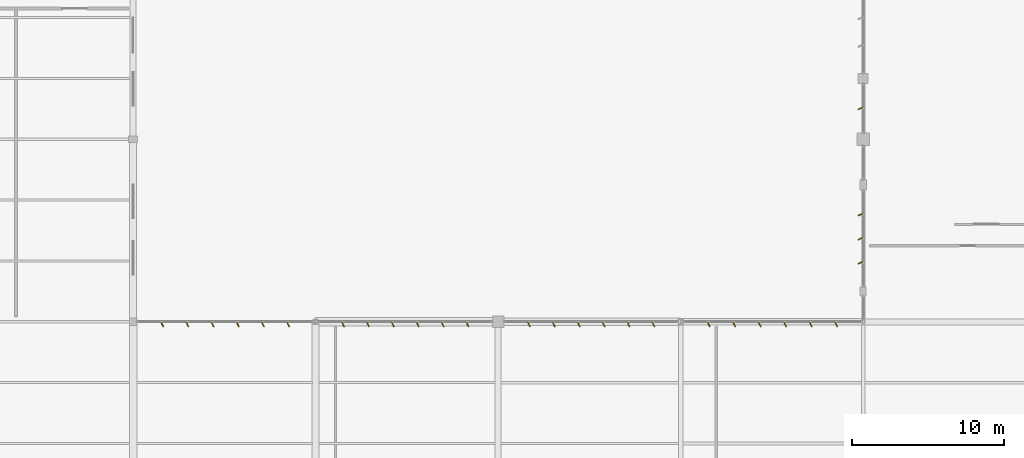
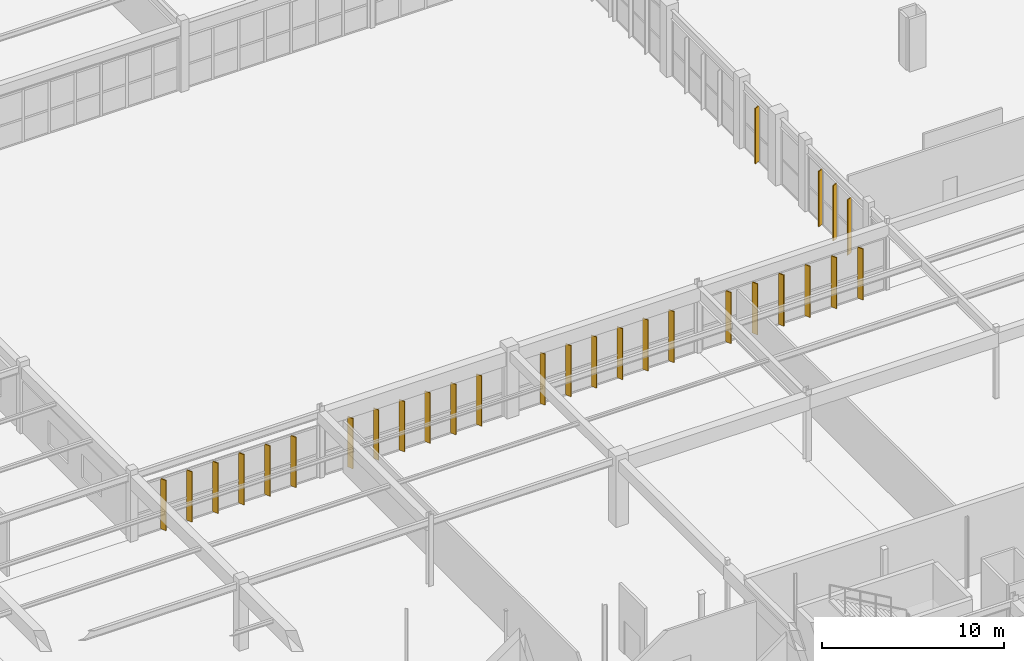
# One storey, part 182 of 199: 28 shading devices.
"""IFC4 building model written with IfcOpenShell, lengths in metres."""

import ifcopenshell
import ifcopenshell.guid

model = None  # the IFC model being written
_history = None  # IfcOwnerHistory: only IFC2X3 demands one
_inside = {}  # id of a spatial element -> (the spatial element, [elements in it])
_under = {}  # id of a project, library or spatial element -> (it, [spatial elements below it])
_declared = {}  # id of a project -> (the project, [libraries it declares])
_typed = {}  # id of a type object -> (the type object, [elements of that type])
_made_of = {}  # id of a material, layer set ... -> (it, [elements and type objects made of it])


def new_model(schema):
    """Start an empty IFC model of exactly this schema.

    Asked for "IFC4X3", IfcOpenShell would pick the latest addendum, in which some entities
    have other attributes; the version numbers below select the first issue.
    IFC2X3 requires an IfcOwnerHistory on every rooted entity: one is made here for all.
    """
    global model, _history
    if schema == "IFC4X3":
        model = ifcopenshell.file(schema_version=(4, 3, 0, 0))
    else:
        model = ifcopenshell.file(schema=schema)
    _inside.clear()
    _under.clear()
    _declared.clear()
    _typed.clear()
    _made_of.clear()
    _history = None
    if model.schema == "IFC2X3":
        org = make("IfcOrganization", Name="unknown")
        user = make(
            "IfcPersonAndOrganization",
            ThePerson=make("IfcPerson", FamilyName="unknown"),
            TheOrganization=org,
        )
        app = make(
            "IfcApplication",
            ApplicationDeveloper=org,
            Version="unknown",
            ApplicationFullName="unknown",
            ApplicationIdentifier="unknown",
        )
        _history = make(
            "IfcOwnerHistory",
            OwningUser=user,
            OwningApplication=app,
            ChangeAction="ADDED",
            CreationDate=0,
        )
    return model


def make(cls, **values):
    """One entity of the class cls with the attributes given. An attribute that is None is left unset."""
    return model.create_entity(
        cls, **{name: value for name, value in values.items() if value is not None}
    )


def rooted(cls, **values):
    """An entity with a GlobalId (a new one), such as an element, a storey or a relation."""
    return make(cls, GlobalId=ifcopenshell.guid.new(), OwnerHistory=_history, **values)


def si_unit(unit_type, name, prefix=None):
    """IfcSIUnit, for example si_unit("LENGTHUNIT", "METRE", prefix="MILLI")."""
    return make("IfcSIUnit", UnitType=unit_type, Prefix=prefix, Name=name)


def assignment(units):
    """IfcUnitAssignment: the units of a project."""
    return None if units is None else make("IfcUnitAssignment", Units=units)


def point(xyz):
    """IfcCartesianPoint."""
    return None if xyz is None else make("IfcCartesianPoint", Coordinates=xyz)


def direction(xyz):
    """IfcDirection."""
    return None if xyz is None else make("IfcDirection", DirectionRatios=xyz)


def frame(location, z_axis=None, x_axis=None):
    """IfcAxis2Placement3D, a coordinate frame: its origin and axes. An axis left out is left unset."""
    return make(
        "IfcAxis2Placement3D",
        Location=point(location),
        Axis=direction(z_axis),
        RefDirection=direction(x_axis),
    )


def frame_2d(location, x_axis=None):
    """IfcAxis2Placement2D, a coordinate frame in the plane: its origin and x axis."""
    return make(
        "IfcAxis2Placement2D", Location=point(location), RefDirection=direction(x_axis)
    )


def origin():
    """The frame at (0, 0, 0) with its axes left unset."""
    return frame((0.0, 0.0, 0.0))


def origin_2d():
    """The frame at (0, 0) in the plane with its x axis left unset."""
    return frame_2d((0.0, 0.0))


def place(relative_to, where):
    """IfcLocalPlacement: puts the frame where relative to a parent placement (None: the world)."""
    return make(
        "IfcLocalPlacement", PlacementRelTo=relative_to, RelativePlacement=where
    )


def context(
    kind, dimensions, precision=None, world=None, true_north=None, identifier=None
):
    """IfcGeometricRepresentationContext, for example the 3D "Model" context."""
    return make(
        "IfcGeometricRepresentationContext",
        ContextIdentifier=identifier,
        ContextType=kind,
        CoordinateSpaceDimension=dimensions,
        Precision=precision,
        WorldCoordinateSystem=world,
        TrueNorth=true_north,
    )


def subcontext(parent, identifier, kind, view, scale=None):
    """IfcGeometricRepresentationSubContext, for example "Body" below "Model"."""
    return make(
        "IfcGeometricRepresentationSubContext",
        ContextIdentifier=identifier,
        ContextType=kind,
        ParentContext=parent,
        TargetScale=scale,
        TargetView=view,
    )


def project(units=None, contexts=None):
    """IfcProject with its units and contexts."""
    return rooted(
        "IfcProject",
        Name="project",
        RepresentationContexts=contexts,
        UnitsInContext=assignment(units),
    )


def spatial(cls, under=None, at=None, **own):
    """A site, building, storey or space (cls), placed at a placement, below another one or the project."""
    s = rooted(cls, ObjectPlacement=at, **own)
    if under is not None:
        _under.setdefault(under.id(), (under, []))[1].append(s)
    return s


def profile(cls, at=None, kind="AREA", **sizes):
    """A parametric profile (cls). Its sizes go by their IFC names, for example OverallWidth=200.0."""
    return make(cls, ProfileType=kind, Position=at, **sizes)


def rectangle(**sizes):
    """IfcRectangleProfileDef."""
    return profile("IfcRectangleProfileDef", **sizes)


def extrude(swept, where, along, depth):
    """IfcExtrudedAreaSolid: the profile swept, set in the frame where, extruded along a direction by depth."""
    return make(
        "IfcExtrudedAreaSolid",
        SweptArea=swept,
        Position=where,
        ExtrudedDirection=direction(along),
        Depth=depth,
    )


def shape(context_of_items, identifier, shape_type, items):
    """IfcShapeRepresentation: the items that make up one representation, for example the "Body"."""
    return make(
        "IfcShapeRepresentation",
        ContextOfItems=context_of_items,
        RepresentationIdentifier=identifier,
        RepresentationType=shape_type,
        Items=items,
    )


def material(Name=None, Category=None):
    """IfcMaterial."""
    return make("IfcMaterial", Name=Name, Category=Category)


def layer(
    of_material, thickness, ventilated=None, Name=None, Category=None, Priority=None
):
    """IfcMaterialLayer: one layer of a wall or slab, of a material (None: an air gap)."""
    return make(
        "IfcMaterialLayer",
        Material=of_material,
        LayerThickness=thickness,
        IsVentilated=ventilated,
        Name=Name,
        Category=Category,
        Priority=Priority,
    )


def layer_set(layers, Name=None):
    """IfcMaterialLayerSet."""
    return make("IfcMaterialLayerSet", MaterialLayers=layers, LayerSetName=Name)


def made_of(thing, what):
    """Note that an element or type object is made of a material, layer set ...; save() writes the relation."""
    if what is not None:
        _made_of.setdefault(what.id(), (what, []))[1].append(thing)
    return thing


def type_object(cls, material=None, **own):
    """A type object (cls), such as IfcWallType, which elements share."""
    return made_of(rooted(cls, **own), material)


def element(
    cls,
    number,
    at=None,
    inside=None,
    cuts=None,
    type_object=None,
    material=None,
    context=None,
    identifier="Body",
    shape_type=None,
    held_by="IfcProductDefinitionShape",
    body=None,
    shapes=None,
    **own,
):
    """One element of the class cls, such as IfcWall. Its Tag is "e" and its number.

    at: its placement. inside: the storey or other place that contains it. cuts: it is an
    opening in that element (IfcRelVoidsElement). A single representation is given by context,
    identifier, shape_type and body (its items); several are given by shapes. held_by: the class
    of the entity that holds the representations. save() writes the other relations.
    """
    e = rooted(cls, Tag="e%d" % number, ObjectPlacement=at, **own)
    if body is not None:
        shapes = [shape(context, identifier, shape_type, body)]
    if shapes is not None:
        e.Representation = make(held_by, Representations=shapes)
    if inside is not None:
        _inside.setdefault(inside.id(), (inside, []))[1].append(e)
    if cuts is not None:
        rooted(
            "IfcRelVoidsElement", RelatingBuildingElement=cuts, RelatedOpeningElement=e
        )
    if type_object is not None:
        _typed.setdefault(type_object.id(), (type_object, []))[1].append(e)
    return made_of(e, material)


def aggregate(whole, parts):
    """IfcRelAggregates: a whole, such as a stair, and the parts it consists of."""
    return rooted("IfcRelAggregates", RelatingObject=whole, RelatedObjects=parts)


def save(model, path):
    """Write the relations noted so far, then the file.

    IfcRelAggregates (storeys below a building ...), IfcRelContainedInSpatialStructure (elements
    in a storey), IfcRelDefinesByType, IfcRelAssociatesMaterial and IfcRelDeclares: one each for
    every whole, place, type object, material and project.
    """
    for whole, parts in _under.values():
        aggregate(whole, parts)
    for where, things in _inside.values():
        rooted(
            "IfcRelContainedInSpatialStructure",
            RelatedElements=things,
            RelatingStructure=where,
        )
    for kind, things in _typed.values():
        rooted("IfcRelDefinesByType", RelatedObjects=things, RelatingType=kind)
    for what, things in _made_of.values():
        rooted("IfcRelAssociatesMaterial", RelatedObjects=things, RelatingMaterial=what)
    for by, libraries in _declared.values():
        rooted("IfcRelDeclares", RelatingContext=by, RelatedDefinitions=libraries)
    model.write(path)


model = new_model("IFC4")

# Units and contexts
model_context = context("Model", 3, precision=1e-05, world=origin(), true_north=direction((0.0, 1.0)))
body_context = subcontext(model_context, "Body", "Model", "MODEL_VIEW")
ifc_project = project(units=[si_unit("LENGTHUNIT", "METRE"), si_unit("AREAUNIT", "SQUARE_METRE"), si_unit("VOLUMEUNIT", "CUBIC_METRE"), si_unit("PLANEANGLEUNIT", "RADIAN"), si_unit("MASSUNIT", "GRAM", prefix="KILO")], contexts=[model_context])

# Site, building, storey
site_placement = place(None, origin())
site = spatial("IfcSite", under=ifc_project, at=site_placement, CompositionType="ELEMENT")
building_placement = place(site_placement, origin())
building = spatial("IfcBuilding", under=site, at=building_placement, Name="Tarnwether General Hospital", CompositionType="ELEMENT")
storey_placement = place(building_placement, origin())
storey = spatial("IfcBuildingStorey", under=building, at=storey_placement, Name="L00", CompositionType="ELEMENT", Elevation=0.0)

# Shading devices
ifc_material = material(Name="Champagne-bronze anodised aluminium", Category="aluminium")
ifc_layer = layer(ifc_material, 0.06005859375)
ifc_layer_set = layer_set([ifc_layer], Name="Champagne-bronze anodised aluminium")
shading_device_type = type_object("IfcShadingDeviceType", Name="SH-FIN-BRZ", PredefinedType="USERDEFINED", material=ifc_layer_set)
for number, where, z_axis, x_axis, name in (
    (1, (107.840087890625, 49.491943359375, 0.0498046875), (0.0, 0.0, 1.0), (-0.422618261741, 0.906307787037, 0.0), "Champagne-Bronze Brise-Soleil Fin 0124"),
    (2, (107.840087890625, 51.074951171875, 0.0498046875), (0.0, 0.0, 1.0), (-0.422618261741, 0.906307787037, 0.0), "Champagne-Bronze Brise-Soleil Fin 0125"),
    (3, (107.840087890625, 52.658935546875, 0.0498046875), (0.0, 0.0, 1.0), (-0.422618261741, 0.906307787037, 0.0), "Champagne-Bronze Brise-Soleil Fin 0126"),
):
    element("IfcShadingDevice", number, at=place(storey_placement, frame(where, z_axis=z_axis, x_axis=x_axis)), inside=storey, type_object=shading_device_type, Name=name, ObjectType="SOLAR FIN", PredefinedType="USERDEFINED", context=body_context, shape_type="SweptSolid", body=[
        extrude(rectangle(XDim=0.06005859375, YDim=0.360107421875, at=origin_2d()), origin(), (0.0, 0.0, 1.0), 3.718017578125),
    ])
shading_device_placement = place(storey_placement, frame((107.840087890625, 59.637939453125, 0.05029296875), z_axis=(0.0, 0.0, 1.0), x_axis=(-0.422618261741, 0.906307787037, 0.0)))
element("IfcShadingDevice", 4, at=shading_device_placement, inside=storey, type_object=shading_device_type, Name="Champagne-Bronze Brise-Soleil Fin 0127", ObjectType="SOLAR FIN", PredefinedType="USERDEFINED", context=body_context, shape_type="SweptSolid", body=[
    extrude(rectangle(XDim=0.06005859375, YDim=0.360107421875, at=origin_2d()), origin(), (0.0, 0.0, 1.0), 3.722900390625),
])
for number, where, z_axis, x_axis, name in (
    (5, (106.216064453125, 45.43994140625, 0.0498046875), (0.0, 0.0, 1.0), (-0.906307787037, -0.422618261741, 0.0), "Champagne-Bronze Brise-Soleil Fin 0135"),
    (6, (104.541015625, 45.43994140625, 0.0498046875), (0.0, 0.0, 1.0), (-0.906307787037, -0.422618261741, 0.0), "Champagne-Bronze Brise-Soleil Fin 0136"),
    (7, (102.864990234375, 45.43994140625, 0.0498046875), (0.0, 0.0, 1.0), (-0.906307787037, -0.422618261741, 0.0), "Champagne-Bronze Brise-Soleil Fin 0137"),
    (8, (101.18994140625, 45.43994140625, 0.0498046875), (0.0, 0.0, 1.0), (-0.906307787037, -0.422618261741, 0.0), "Champagne-Bronze Brise-Soleil Fin 0138"),
    (9, (99.513916015625, 45.43994140625, 0.0498046875), (0.0, 0.0, 1.0), (-0.906307787037, -0.422618261741, 0.0), "Champagne-Bronze Brise-Soleil Fin 0139"),
    (10, (97.839111328125, 45.43994140625, 0.0498046875), (0.0, 0.0, 1.0), (-0.906307787037, -0.422618261741, 0.0), "Champagne-Bronze Brise-Soleil Fin 0140"),
    (11, (94.199951171875, 45.43994140625, 0.0498046875), (0.0, 0.0, 1.0), (-0.906307787037, -0.422618261741, 0.0), "Champagne-Bronze Brise-Soleil Fin 0141"),
    (12, (92.56396484375, 45.43994140625, 0.0498046875), (0.0, 0.0, 1.0), (-0.906307787037, -0.422618261741, 0.0), "Champagne-Bronze Brise-Soleil Fin 0142"),
    (13, (90.927978515625, 45.43994140625, 0.0498046875), (0.0, 0.0, 1.0), (-0.906307787037, -0.422618261741, 0.0), "Champagne-Bronze Brise-Soleil Fin 0143"),
    (14, (89.2919921875, 45.43994140625, 0.0498046875), (0.0, 0.0, 1.0), (-0.906307787037, -0.422618261741, 0.0), "Champagne-Bronze Brise-Soleil Fin 0144"),
    (15, (87.655029296875, 45.43994140625, 0.0498046875), (0.0, 0.0, 1.0), (-0.906307787037, -0.422618261741, 0.0), "Champagne-Bronze Brise-Soleil Fin 0145"),
    (16, (86.01904296875, 45.43994140625, 0.0498046875), (0.0, 0.0, 1.0), (-0.906307787037, -0.422618261741, 0.0), "Champagne-Bronze Brise-Soleil Fin 0146"),
):
    element("IfcShadingDevice", number, at=place(storey_placement, frame(where, z_axis=z_axis, x_axis=x_axis)), inside=storey, type_object=shading_device_type, Name=name, ObjectType="SOLAR FIN", PredefinedType="USERDEFINED", context=body_context, shape_type="SweptSolid", body=[
        extrude(rectangle(XDim=0.06005859375, YDim=0.360107421875, at=origin_2d()), origin(), (0.0, 0.0, 1.0), 3.429931640625),
    ])
for number, where, z_axis, x_axis, name in (
    (17, (81.98095703125, 45.43994140625, 0.050048828125), (0.0, 0.0, 1.0), (-0.906307787037, -0.422618261741, 0.0), "Champagne-Bronze Brise-Soleil Fin 0147"),
    (18, (80.343994140625, 45.43994140625, 0.050048828125), (0.0, 0.0, 1.0), (-0.906307787037, -0.422618261741, 0.0), "Champagne-Bronze Brise-Soleil Fin 0148"),
    (19, (78.70703125, 45.43994140625, 0.050048828125), (0.0, 0.0, 1.0), (-0.906307787037, -0.422618261741, 0.0), "Champagne-Bronze Brise-Soleil Fin 0149"),
    (20, (77.071044921875, 45.43994140625, 0.050048828125), (0.0, 0.0, 1.0), (-0.906307787037, -0.422618261741, 0.0), "Champagne-Bronze Brise-Soleil Fin 0150"),
    (21, (75.43408203125, 45.43994140625, 0.050048828125), (0.0, 0.0, 1.0), (-0.906307787037, -0.422618261741, 0.0), "Champagne-Bronze Brise-Soleil Fin 0151"),
    (22, (73.798095703125, 45.43994140625, 0.050048828125), (0.0, 0.0, 1.0), (-0.906307787037, -0.422618261741, 0.0), "Champagne-Bronze Brise-Soleil Fin 0152"),
    (23, (70.18408203125, 45.43994140625, 0.050048828125), (0.0, 0.0, 1.0), (-0.906307787037, -0.422618261741, 0.0), "Champagne-Bronze Brise-Soleil Fin 0153"),
    (24, (68.530029296875, 45.43994140625, 0.050048828125), (0.0, 0.0, 1.0), (-0.906307787037, -0.422618261741, 0.0), "Champagne-Bronze Brise-Soleil Fin 0154"),
    (25, (66.875, 45.43994140625, 0.050048828125), (0.0, 0.0, 1.0), (-0.906307787037, -0.422618261741, 0.0), "Champagne-Bronze Brise-Soleil Fin 0155"),
    (26, (65.220947265625, 45.43994140625, 0.050048828125), (0.0, 0.0, 1.0), (-0.906307787037, -0.422618261741, 0.0), "Champagne-Bronze Brise-Soleil Fin 0156"),
    (27, (63.56689453125, 45.43994140625, 0.050048828125), (0.0, 0.0, 1.0), (-0.906307787037, -0.422618261741, 0.0), "Champagne-Bronze Brise-Soleil Fin 0157"),
    (28, (61.912109375, 45.43994140625, 0.050048828125), (0.0, 0.0, 1.0), (-0.906307787037, -0.422618261741, 0.0), "Champagne-Bronze Brise-Soleil Fin 0158"),
):
    element("IfcShadingDevice", number, at=place(storey_placement, frame(where, z_axis=z_axis, x_axis=x_axis)), inside=storey, type_object=shading_device_type, Name=name, ObjectType="SOLAR FIN", PredefinedType="USERDEFINED", context=body_context, shape_type="SweptSolid", body=[
        extrude(rectangle(XDim=0.06005859375, YDim=0.360107421875, at=origin_2d()), origin(), (0.0, 0.0, 1.0), 3.3798828125),
    ])

save(model, "model.ifc")
